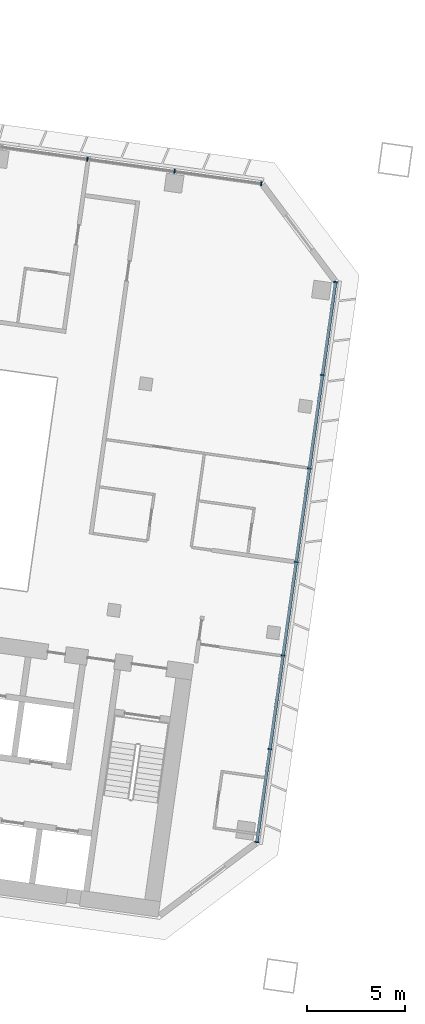
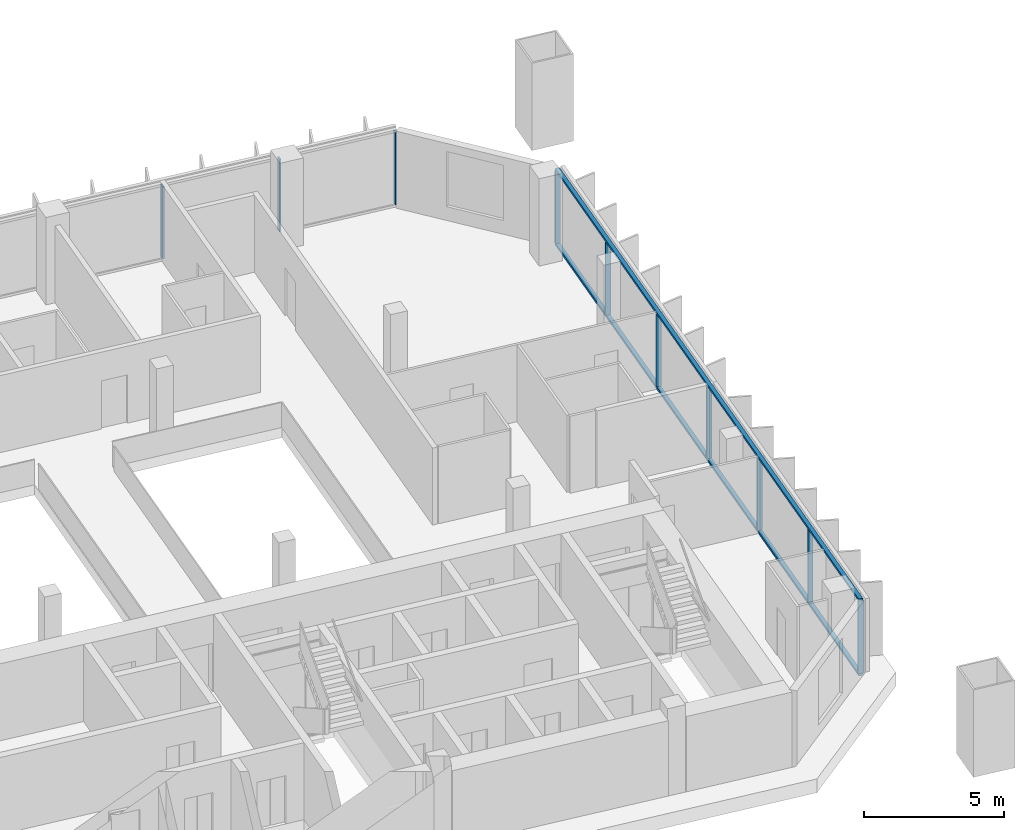
# One storey, part 6 of 26: 12 members, 2 elements without a shape of their own.
"""IFC4 building model written with IfcOpenShell, lengths in metres."""

from ifc_helpers import new_model, si_unit, direction, frame, origin, origin_2d, place, context, subcontext, project, spatial, rectangle, extrude, material, material_profile, profile_set, type_object, element, aggregate, save


model = new_model("IFC4")

# Units and contexts
model_context = context("Model", 3, precision=1e-05, world=origin(), true_north=direction((0.0, 1.0)))
body_context = subcontext(model_context, "Body", "Model", "MODEL_VIEW")
ifc_project = project(units=[si_unit("LENGTHUNIT", "METRE"), si_unit("AREAUNIT", "SQUARE_METRE"), si_unit("VOLUMEUNIT", "CUBIC_METRE"), si_unit("PLANEANGLEUNIT", "RADIAN"), si_unit("MASSUNIT", "GRAM", prefix="KILO")], contexts=[model_context])

# Site, building, storey
site_placement = place(None, origin())
site = spatial("IfcSite", under=ifc_project, at=site_placement, CompositionType="ELEMENT")
building_placement = place(site_placement, origin())
building = spatial("IfcBuilding", under=site, at=building_placement, Name="Mirante Cascada Hotel Towers", CompositionType="ELEMENT")
storey_placement = place(building_placement, frame((0.0, 0.0, 144.3)))
storey = spatial("IfcBuildingStorey", under=building, at=storey_placement, Name="L33", CompositionType="ELEMENT", Elevation=144.3)

# Curtain wall, members
ifc_material_1 = material(Name="Aluminium mullion and transom frame with clear laminated glass", Category="aluminium")
curtain_wall_type_1 = type_object("IfcCurtainWallType", Name="Ribbon curtain wall ECW1", PredefinedType="NOTDEFINED", material=ifc_material_1)
curtain_wall_1_placement = place(storey_placement, origin())
curtain_wall_1 = element("IfcCurtainWall", 1, at=curtain_wall_1_placement, inside=storey, type_object=curtain_wall_type_1, Name="Front ribbon wall T1 L33", PredefinedType="NOTDEFINED")
ifc_material_2 = material(Name="Anodised aluminium extrusion", Category="aluminium")
ifc_material_profile_1 = material_profile(ifc_material_2, rectangle(XDim=0.2, YDim=0.065, at=origin_2d()), Name="ECW1 MULLION 65x200")
ifc_profile_set_1 = profile_set([ifc_material_profile_1], Name="Anodised aluminium extrusion")
member_type_1 = type_object("IfcMemberType", Name="ECW1 mullion 65x200", PredefinedType="MULLION", material=ifc_profile_set_1)
member_1_placement = place(storey_placement, frame((-40.7892, 18.5516, 0.1), z_axis=(0.0, 0.0, 1.0), x_axis=(0.1391731, 0.9902681, 0.0)))
member_1 = element("IfcMember", 2, at=member_1_placement, type_object=member_type_1, Name="ECW1 mullion 13", PredefinedType="MULLION", context=body_context, shape_type="SweptSolid", body=[
    extrude(rectangle(XDim=0.2, YDim=0.065, at=origin_2d()), origin(), (0.0, 0.0, 1.0), 3.15),
])
member_2_placement = place(storey_placement, frame((-36.3417, 17.9265, 0.1), z_axis=(0.0, 0.0, 1.0), x_axis=(0.1391731, 0.9902681, 0.0)))
member_2 = element("IfcMember", 3, at=member_2_placement, type_object=member_type_1, Name="ECW1 mullion 14", PredefinedType="MULLION", context=body_context, shape_type="SweptSolid", body=[
    extrude(rectangle(XDim=0.2, YDim=0.065, at=origin_2d()), origin(), (0.0, 0.0, 1.0), 3.15),
])
member_3_placement = place(storey_placement, frame((-31.9265, 17.306, 0.1), z_axis=(0.0, 0.0, 1.0), x_axis=(0.1391731, 0.9902681, 0.0)))
member_3 = element("IfcMember", 4, at=member_3_placement, type_object=member_type_1, Name="ECW1 mullion 15", PredefinedType="MULLION", context=body_context, shape_type="SweptSolid", body=[
    extrude(rectangle(XDim=0.2, YDim=0.065, at=origin_2d()), origin(), (0.0, 0.0, 1.0), 3.15),
])
aggregate(curtain_wall_1, [member_1, member_2, member_3])

ifc_material_3 = material(Name="Aluminium mullion and transom frame with clear laminated glass", Category="aluminium")
curtain_wall_type_2 = type_object("IfcCurtainWallType", Name="End ribbon curtain wall ECW2", PredefinedType="NOTDEFINED", material=ifc_material_3)
curtain_wall_2_placement = place(storey_placement, origin())
curtain_wall_2 = element("IfcCurtainWall", 5, at=curtain_wall_2_placement, inside=storey, type_object=curtain_wall_type_2, Name="Inner end wall T1 L33", PredefinedType="NOTDEFINED")
ifc_material_4 = material(Name="Anodised aluminium extrusion", Category="aluminium")
ifc_material_profile_2 = material_profile(ifc_material_4, rectangle(XDim=0.2, YDim=0.065, at=origin_2d()), Name="ECW2 MULLION 65x200")
ifc_profile_set_2 = profile_set([ifc_material_profile_2], Name="Anodised aluminium extrusion")
member_type_2 = type_object("IfcMemberType", Name="ECW2 mullion 65x200", PredefinedType="MULLION", material=ifc_profile_set_2)
member_4_placement = place(storey_placement, frame((-28.1437, 12.2861, 0.1), z_axis=(0.0, 0.0, 1.0), x_axis=(0.9902681, -0.1391731, 0.0)))
member_4 = element("IfcMember", 6, at=member_4_placement, type_object=member_type_2, Name="ECW2 mullion 1", PredefinedType="MULLION", context=body_context, shape_type="SweptSolid", body=[
    extrude(rectangle(XDim=0.2, YDim=0.065, at=origin_2d()), origin(), (0.0, 0.0, 1.0), 3.15),
])
member_5_placement = place(storey_placement, frame((-28.809, 7.5524, 0.1), z_axis=(0.0, 0.0, 1.0), x_axis=(0.9902681, -0.1391731, 0.0)))
member_5 = element("IfcMember", 7, at=member_5_placement, type_object=member_type_2, Name="ECW2 mullion 2", PredefinedType="MULLION", context=body_context, shape_type="SweptSolid", body=[
    extrude(rectangle(XDim=0.2, YDim=0.065, at=origin_2d()), origin(), (0.0, 0.0, 1.0), 3.15),
])
member_6_placement = place(storey_placement, frame((-29.4788, 2.7867, 0.1), z_axis=(0.0, 0.0, 1.0), x_axis=(0.9902681, -0.1391731, 0.0)))
member_6 = element("IfcMember", 8, at=member_6_placement, type_object=member_type_2, Name="ECW2 mullion 3", PredefinedType="MULLION", context=body_context, shape_type="SweptSolid", body=[
    extrude(rectangle(XDim=0.2, YDim=0.065, at=origin_2d()), origin(), (0.0, 0.0, 1.0), 3.15),
])
member_7_placement = place(storey_placement, frame((-30.1485, -1.9791, 0.1), z_axis=(0.0, 0.0, 1.0), x_axis=(0.9902681, -0.1391731, 0.0)))
member_7 = element("IfcMember", 9, at=member_7_placement, type_object=member_type_2, Name="ECW2 mullion 4", PredefinedType="MULLION", context=body_context, shape_type="SweptSolid", body=[
    extrude(rectangle(XDim=0.2, YDim=0.065, at=origin_2d()), origin(), (0.0, 0.0, 1.0), 3.15),
])
member_8_placement = place(storey_placement, frame((-30.8183, -6.7449, 0.1), z_axis=(0.0, 0.0, 1.0), x_axis=(0.9902681, -0.1391731, 0.0)))
member_8 = element("IfcMember", 10, at=member_8_placement, type_object=member_type_2, Name="ECW2 mullion 5", PredefinedType="MULLION", context=body_context, shape_type="SweptSolid", body=[
    extrude(rectangle(XDim=0.2, YDim=0.065, at=origin_2d()), origin(), (0.0, 0.0, 1.0), 3.15),
])
member_9_placement = place(storey_placement, frame((-31.4881, -11.5107, 0.1), z_axis=(0.0, 0.0, 1.0), x_axis=(0.9902681, -0.1391731, 0.0)))
member_9 = element("IfcMember", 11, at=member_9_placement, type_object=member_type_2, Name="ECW2 mullion 6", PredefinedType="MULLION", context=body_context, shape_type="SweptSolid", body=[
    extrude(rectangle(XDim=0.2, YDim=0.065, at=origin_2d()), origin(), (0.0, 0.0, 1.0), 3.15),
])
member_10_placement = place(storey_placement, frame((-32.1534, -16.2443, 0.1), z_axis=(0.0, 0.0, 1.0), x_axis=(0.9902681, -0.1391731, 0.0)))
member_10 = element("IfcMember", 12, at=member_10_placement, type_object=member_type_2, Name="ECW2 mullion 7", PredefinedType="MULLION", context=body_context, shape_type="SweptSolid", body=[
    extrude(rectangle(XDim=0.2, YDim=0.065, at=origin_2d()), origin(), (0.0, 0.0, 1.0), 3.15),
])
ifc_material_5 = material(Name="Anodised aluminium extrusion", Category="aluminium")
ifc_material_profile_3 = material_profile(ifc_material_5, rectangle(XDim=0.16, YDim=0.1, at=origin_2d()), Name="ECW2 TRANSOM 100x160")
ifc_profile_set_3 = profile_set([ifc_material_profile_3], Name="Anodised aluminium extrusion")
member_type_3 = type_object("IfcMemberType", Name="ECW2 transom 100x160", PredefinedType="USERDEFINED", material=ifc_profile_set_3)
member_11_placement = place(storey_placement, frame((-28.1392, 12.3182, 0.05), z_axis=(-0.1391723, -0.9902682, 0.0), x_axis=(0.9902682, -0.1391723, 0.0)))
member_11 = element("IfcMember", 13, at=member_11_placement, type_object=member_type_3, Name="ECW2 sill transom", ObjectType="TRANSOM", PredefinedType="USERDEFINED", context=body_context, shape_type="SweptSolid", body=[
    extrude(rectangle(XDim=0.16, YDim=0.1, at=origin_2d()), origin(), (0.0, 0.0, 1.0), 28.8757),
])
member_12_placement = place(storey_placement, frame((-28.1392, 12.3182, 3.3), z_axis=(-0.1391723, -0.9902682, 0.0), x_axis=(0.9902682, -0.1391723, 0.0)))
member_12 = element("IfcMember", 14, at=member_12_placement, type_object=member_type_3, Name="ECW2 head transom", ObjectType="TRANSOM", PredefinedType="USERDEFINED", context=body_context, shape_type="SweptSolid", body=[
    extrude(rectangle(XDim=0.16, YDim=0.1, at=origin_2d()), origin(), (0.0, 0.0, 1.0), 28.8757),
])
aggregate(curtain_wall_2, [member_11, member_12, member_4, member_5, member_6, member_7, member_8, member_9, member_10])

save(model, "model.ifc")
